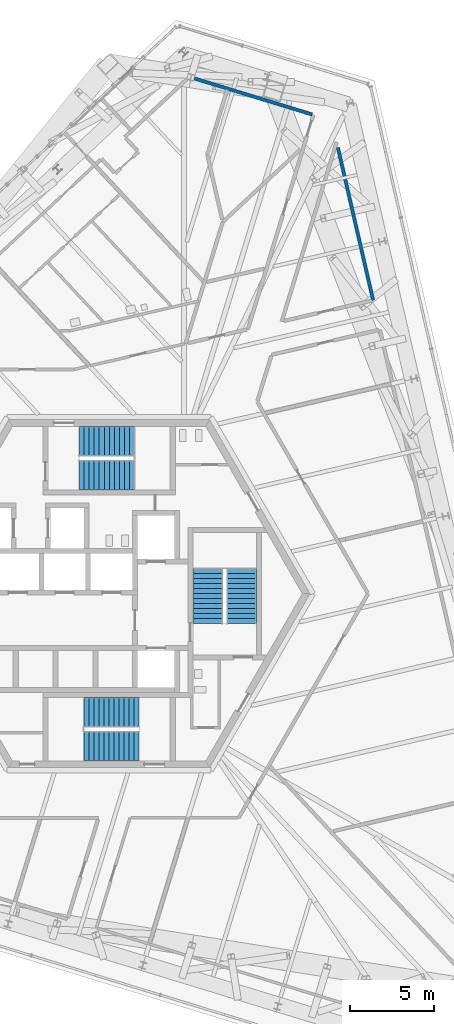
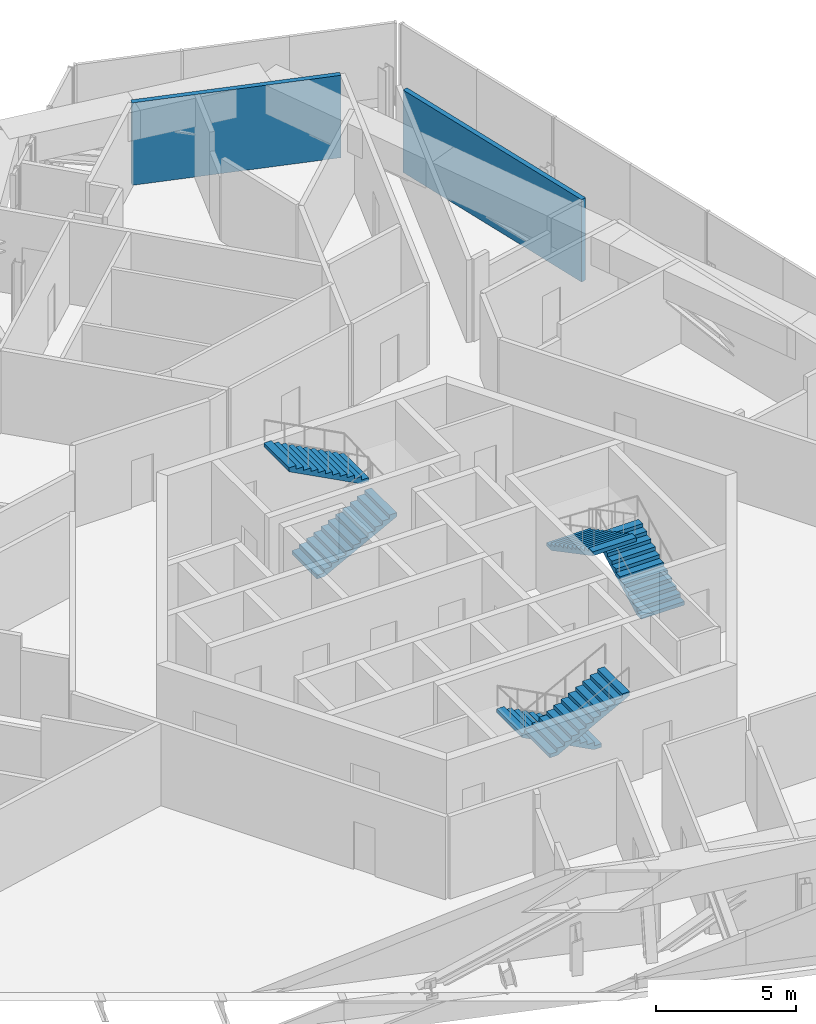
# One storey, part 22 of 31: 6 stair flights, 2 walls, 3 elements without a shape of their own.
"""IFC4 building model written with IfcOpenShell, lengths in metres."""

from ifc_helpers import new_model, si_unit, direction, frame, frame_2d, origin, place, context, subcontext, project, spatial, polyline, rectangle, outline, extrude, source, transform, mapped, material, layer, layer_set, type_object, element, aggregate, save


model = new_model("IFC4")

# Units and contexts
model_context = context("Model", 3, precision=1e-05, world=origin(), true_north=direction((0.0, 1.0)))
body_context = subcontext(model_context, "Body", "Model", "MODEL_VIEW")
ifc_project = project(units=[si_unit("LENGTHUNIT", "METRE"), si_unit("AREAUNIT", "SQUARE_METRE"), si_unit("VOLUMEUNIT", "CUBIC_METRE"), si_unit("PLANEANGLEUNIT", "RADIAN"), si_unit("MASSUNIT", "GRAM", prefix="KILO")], contexts=[model_context])

# Site, building, storey
site_placement = place(None, origin())
site = spatial("IfcSite", under=ifc_project, at=site_placement, CompositionType="ELEMENT")
building_placement = place(site_placement, origin())
building = spatial("IfcBuilding", under=site, at=building_placement, Name="Triune Harvest Tower", CompositionType="ELEMENT")
storey_placement = place(building_placement, frame((0.0, 0.0, 134.300048828125)))
storey = spatial("IfcBuildingStorey", under=building, at=storey_placement, Name="L34", CompositionType="ELEMENT", Elevation=134.300048828125)

# Walls
ifc_material_1 = material(Name="Gypsum board on steel studs", Category="steel")
ifc_layer = layer(ifc_material_1, 0.199951171875)
ifc_layer_set = layer_set([ifc_layer], Name="Gypsum board on steel studs")
wall_type = type_object("IfcWallType", Name="Fire Wall 200 mm", PredefinedType="PARTITIONING", material=ifc_layer_set)
wall_1_placement = place(storey_placement, frame((13.659912109375, 26.646728515625, 0.0), z_axis=(0.0, 0.0, 1.0), x_axis=(0.22495465953, -0.974369232456, 0.0)))
element("IfcWall", 1, at=wall_1_placement, inside=storey, type_object=wall_type, Name="Partition L34 004", PredefinedType="PARTITIONING", context=body_context, shape_type="SweptSolid", body=[
    extrude(rectangle(XDim=9.369384765625, YDim=0.199951171875, at=frame_2d((4.6845703125, 0.0))), origin(), (0.0, 0.0, 1.0), 3.599853515625),
])
wall_2_placement = place(storey_placement, frame((4.788818359375, 30.861083984375, 0.0), z_axis=(0.0, 0.0, 1.0), x_axis=(0.956307334651, -0.29236327008, 0.0)))
element("IfcWall", 2, at=wall_2_placement, inside=storey, type_object=wall_type, Name="Partition L34 027", PredefinedType="PARTITIONING", context=body_context, shape_type="SweptSolid", body=[
    extrude(rectangle(XDim=7.6708984375, YDim=0.199951171875, at=frame_2d((3.83544921875, 0.0))), origin(), (0.0, 0.0, 1.0), 3.599853515625),
])

# Stair, stair flights
ifc_material_2 = material(Name="Concrete 40 MPa", Category="concrete")
stair_type = type_object("IfcStairType", Name="Exit stair 1800 half turn", PredefinedType="HALF_TURN_STAIR", material=ifc_material_2)
stair_1_placement = place(storey_placement, origin())
stair_1 = element("IfcStair", 3, at=stair_1_placement, inside=storey, type_object=stair_type, Name="Exit stair north", PredefinedType="HALF_TURN_STAIR")
ifc_material_3 = material(Name="Concrete 40 MPa", Category="concrete")
stair_flight_type = type_object("IfcStairFlightType", Name="Stair flight 1800", PredefinedType="STRAIGHT", material=ifc_material_3)
shared_shape = source(origin(), body_context, "Body", "SweptSolid", [
    extrude(outline(polyline([(0.0, 0.0), (0.0, 0.158447265625), (0.300048828125, 0.158447265625), (0.300048828125, 0.316650390625), (0.60009765625, 0.316650390625), (0.60009765625, 0.47509765625), (0.89990234375, 0.47509765625), (0.89990234375, 0.63330078125), (1.199951171875, 0.63330078125), (1.199951171875, 0.791748046875), (1.5, 0.791748046875), (1.5, 0.949951171875), (1.800048828125, 0.949951171875), (1.800048828125, 1.1083984375), (2.10009765625, 1.1083984375), (2.10009765625, 1.2666015625), (2.39990234375, 1.2666015625), (2.39990234375, 1.425048828125), (2.699951171875, 1.425048828125), (2.699951171875, 1.583251953125), (3.0, 1.583251953125), (3.0, 1.74169921875), (3.300048828125, 1.74169921875), (3.300048828125, 1.89990234375), (3.300048828125, 1.572021484375), (0.321044921875, 0.0), (0.0, 0.0)])), frame((0.0, 0.89990234375, 0.0), z_axis=(0.0, -1.0, 0.0), x_axis=(1.0, 0.0, 0.0)), (0.0, 0.0, 1.0), 1.800048828125),
])
stair_flight_1_placement = place(storey_placement, frame((-1.7900390625, 7.090087890625, 0.0), z_axis=(0.0, 0.0, 1.0), x_axis=(1.0, 0.0, 0.0)))
stair_flight_1 = element("IfcStairFlight", 4, at=stair_flight_1_placement, type_object=stair_flight_type, Name="ST-1 flight 1", NumberOfRisers=12, NumberOfTreads=11, PredefinedType="STRAIGHT", RiserHeight=0.15833, TreadLength=0.3, context=body_context, shape_type="MappedRepresentation", body=[
    mapped(shared_shape, transform((0.0, 0.0, 0.0), scale=1.0)),
])
stair_flight_2_placement = place(storey_placement, frame((1.510009765625, 9.090087890625, 1.89990234375), z_axis=(0.0, 0.0, 1.0), x_axis=(-1.0, 0.0, 0.0)))
stair_flight_2 = element("IfcStairFlight", 5, at=stair_flight_2_placement, type_object=stair_flight_type, Name="ST-1 flight 2", NumberOfRisers=12, NumberOfTreads=11, PredefinedType="STRAIGHT", RiserHeight=0.15833, TreadLength=0.3, context=body_context, shape_type="MappedRepresentation", body=[
    mapped(shared_shape, transform((0.0, 0.0, 0.0), scale=1.0)),
])
aggregate(stair_1, [stair_flight_1, stair_flight_2])

stair_2_placement = place(storey_placement, origin())
stair_2 = element("IfcStair", 6, at=stair_2_placement, inside=storey, type_object=stair_type, Name="Exit stair south", PredefinedType="HALF_TURN_STAIR")
stair_flight_3_placement = place(storey_placement, frame((1.7900390625, -7.090087890625, 0.0), z_axis=(0.0, 0.0, 1.0), x_axis=(-1.0, 0.0, 0.0)))
stair_flight_3 = element("IfcStairFlight", 7, at=stair_flight_3_placement, type_object=stair_flight_type, Name="ST-2 flight 1", NumberOfRisers=12, NumberOfTreads=11, PredefinedType="STRAIGHT", RiserHeight=0.15833, TreadLength=0.3, context=body_context, shape_type="MappedRepresentation", body=[
    mapped(shared_shape, transform((0.0, 0.0, 0.0), scale=1.0)),
])
stair_flight_4_placement = place(storey_placement, frame((-1.510009765625, -9.090087890625, 1.89990234375), z_axis=(0.0, 0.0, 1.0), x_axis=(1.0, 0.0, 0.0)))
stair_flight_4 = element("IfcStairFlight", 8, at=stair_flight_4_placement, type_object=stair_flight_type, Name="ST-2 flight 2", NumberOfRisers=12, NumberOfTreads=11, PredefinedType="STRAIGHT", RiserHeight=0.15833, TreadLength=0.3, context=body_context, shape_type="MappedRepresentation", body=[
    mapped(shared_shape, transform((0.0, 0.0, 0.0), scale=1.0)),
])
aggregate(stair_2, [stair_flight_3, stair_flight_4])

stair_3_placement = place(storey_placement, origin())
stair_3 = element("IfcStair", 9, at=stair_3_placement, inside=storey, type_object=stair_type, Name="Exit stair east", PredefinedType="HALF_TURN_STAIR")
stair_flight_5_placement = place(storey_placement, frame((7.89990234375, -1.7900390625, 0.0), z_axis=(0.0, 0.0, 1.0), x_axis=(0.0, 1.0, 0.0)))
stair_flight_5 = element("IfcStairFlight", 10, at=stair_flight_5_placement, type_object=stair_flight_type, Name="ST-3 flight 1", NumberOfRisers=12, NumberOfTreads=11, PredefinedType="STRAIGHT", RiserHeight=0.15833, TreadLength=0.3, context=body_context, shape_type="MappedRepresentation", body=[
    mapped(shared_shape, transform((0.0, 0.0, 0.0), scale=1.0)),
])
stair_flight_6_placement = place(storey_placement, frame((5.89990234375, 1.510009765625, 1.89990234375), z_axis=(0.0, 0.0, 1.0), x_axis=(0.0, -1.0, 0.0)))
stair_flight_6 = element("IfcStairFlight", 11, at=stair_flight_6_placement, type_object=stair_flight_type, Name="ST-3 flight 2", NumberOfRisers=12, NumberOfTreads=11, PredefinedType="STRAIGHT", RiserHeight=0.15833, TreadLength=0.3, context=body_context, shape_type="MappedRepresentation", body=[
    mapped(shared_shape, transform((0.0, 0.0, 0.0), scale=1.0)),
])
aggregate(stair_3, [stair_flight_5, stair_flight_6])

save(model, "model.ifc")
